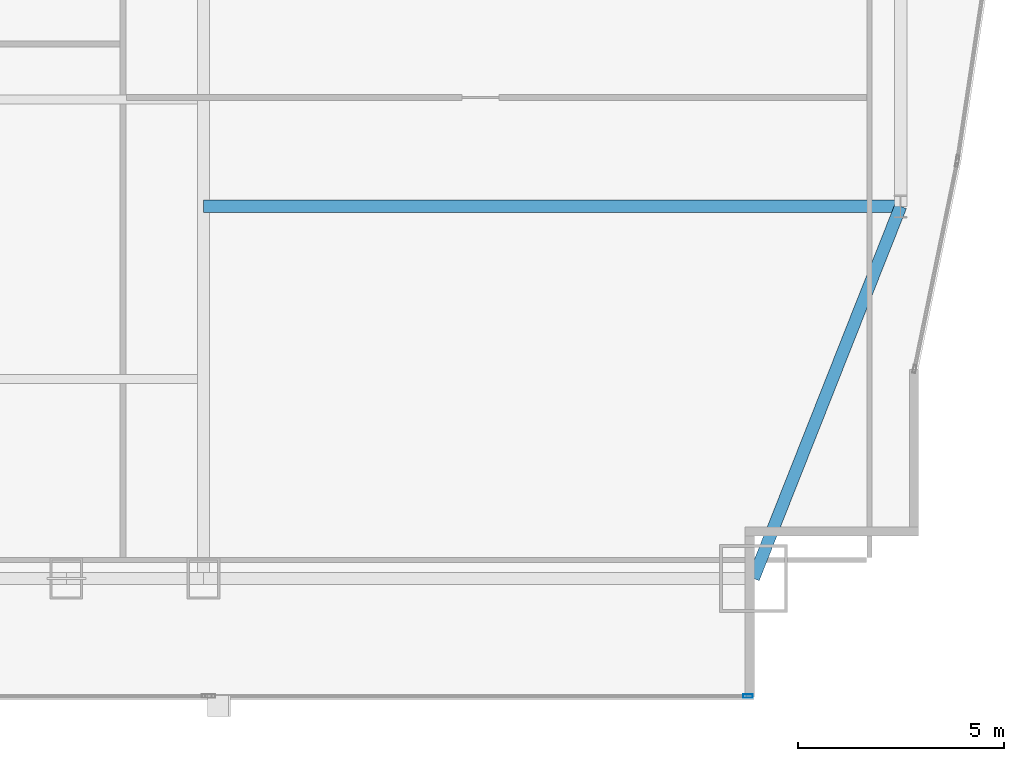
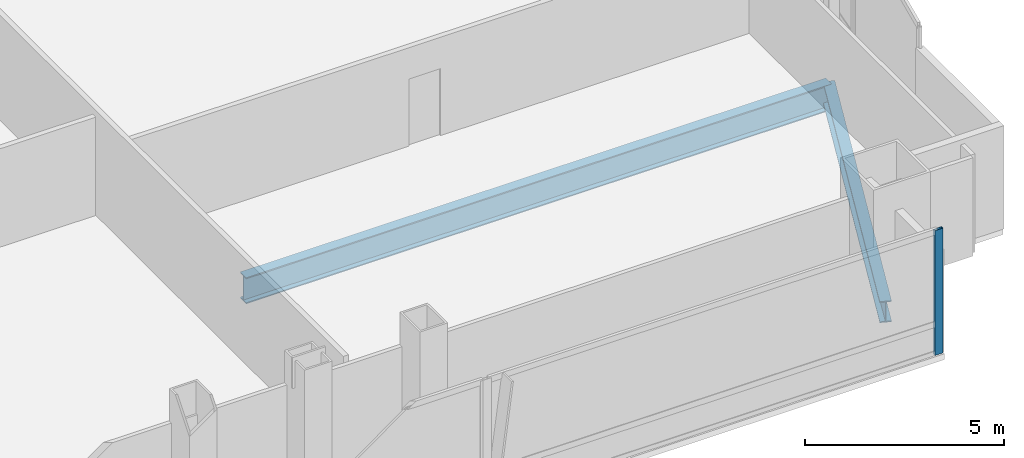
# One storey, part 21 of 36: 2 beams, 1 member, 1 element without a shape of its own.
"""IFC4 building model written with IfcOpenShell, lengths in metres."""

import ifcopenshell
import ifcopenshell.guid

model = None  # the IFC model being written
_history = None  # IfcOwnerHistory: only IFC2X3 demands one
_inside = {}  # id of a spatial element -> (the spatial element, [elements in it])
_under = {}  # id of a project, library or spatial element -> (it, [spatial elements below it])
_declared = {}  # id of a project -> (the project, [libraries it declares])
_typed = {}  # id of a type object -> (the type object, [elements of that type])
_made_of = {}  # id of a material, layer set ... -> (it, [elements and type objects made of it])


def new_model(schema):
    """Start an empty IFC model of exactly this schema.

    Asked for "IFC4X3", IfcOpenShell would pick the latest addendum, in which some entities
    have other attributes; the version numbers below select the first issue.
    IFC2X3 requires an IfcOwnerHistory on every rooted entity: one is made here for all.
    """
    global model, _history
    if schema == "IFC4X3":
        model = ifcopenshell.file(schema_version=(4, 3, 0, 0))
    else:
        model = ifcopenshell.file(schema=schema)
    _inside.clear()
    _under.clear()
    _declared.clear()
    _typed.clear()
    _made_of.clear()
    _history = None
    if model.schema == "IFC2X3":
        org = make("IfcOrganization", Name="unknown")
        user = make(
            "IfcPersonAndOrganization",
            ThePerson=make("IfcPerson", FamilyName="unknown"),
            TheOrganization=org,
        )
        app = make(
            "IfcApplication",
            ApplicationDeveloper=org,
            Version="unknown",
            ApplicationFullName="unknown",
            ApplicationIdentifier="unknown",
        )
        _history = make(
            "IfcOwnerHistory",
            OwningUser=user,
            OwningApplication=app,
            ChangeAction="ADDED",
            CreationDate=0,
        )
    return model


def make(cls, **values):
    """One entity of the class cls with the attributes given. An attribute that is None is left unset."""
    return model.create_entity(
        cls, **{name: value for name, value in values.items() if value is not None}
    )


def rooted(cls, **values):
    """An entity with a GlobalId (a new one), such as an element, a storey or a relation."""
    return make(cls, GlobalId=ifcopenshell.guid.new(), OwnerHistory=_history, **values)


def si_unit(unit_type, name, prefix=None):
    """IfcSIUnit, for example si_unit("LENGTHUNIT", "METRE", prefix="MILLI")."""
    return make("IfcSIUnit", UnitType=unit_type, Prefix=prefix, Name=name)


def assignment(units):
    """IfcUnitAssignment: the units of a project."""
    return None if units is None else make("IfcUnitAssignment", Units=units)


def point(xyz):
    """IfcCartesianPoint."""
    return None if xyz is None else make("IfcCartesianPoint", Coordinates=xyz)


def direction(xyz):
    """IfcDirection."""
    return None if xyz is None else make("IfcDirection", DirectionRatios=xyz)


def frame(location, z_axis=None, x_axis=None):
    """IfcAxis2Placement3D, a coordinate frame: its origin and axes. An axis left out is left unset."""
    return make(
        "IfcAxis2Placement3D",
        Location=point(location),
        Axis=direction(z_axis),
        RefDirection=direction(x_axis),
    )


def frame_2d(location, x_axis=None):
    """IfcAxis2Placement2D, a coordinate frame in the plane: its origin and x axis."""
    return make(
        "IfcAxis2Placement2D", Location=point(location), RefDirection=direction(x_axis)
    )


def origin():
    """The frame at (0, 0, 0) with its axes left unset."""
    return frame((0.0, 0.0, 0.0))


def origin_2d():
    """The frame at (0, 0) in the plane with its x axis left unset."""
    return frame_2d((0.0, 0.0))


def place(relative_to, where):
    """IfcLocalPlacement: puts the frame where relative to a parent placement (None: the world)."""
    return make(
        "IfcLocalPlacement", PlacementRelTo=relative_to, RelativePlacement=where
    )


def context(
    kind, dimensions, precision=None, world=None, true_north=None, identifier=None
):
    """IfcGeometricRepresentationContext, for example the 3D "Model" context."""
    return make(
        "IfcGeometricRepresentationContext",
        ContextIdentifier=identifier,
        ContextType=kind,
        CoordinateSpaceDimension=dimensions,
        Precision=precision,
        WorldCoordinateSystem=world,
        TrueNorth=true_north,
    )


def subcontext(parent, identifier, kind, view, scale=None):
    """IfcGeometricRepresentationSubContext, for example "Body" below "Model"."""
    return make(
        "IfcGeometricRepresentationSubContext",
        ContextIdentifier=identifier,
        ContextType=kind,
        ParentContext=parent,
        TargetScale=scale,
        TargetView=view,
    )


def project(units=None, contexts=None):
    """IfcProject with its units and contexts."""
    return rooted(
        "IfcProject",
        Name="project",
        RepresentationContexts=contexts,
        UnitsInContext=assignment(units),
    )


def spatial(cls, under=None, at=None, **own):
    """A site, building, storey or space (cls), placed at a placement, below another one or the project."""
    s = rooted(cls, ObjectPlacement=at, **own)
    if under is not None:
        _under.setdefault(under.id(), (under, []))[1].append(s)
    return s


def profile(cls, at=None, kind="AREA", **sizes):
    """A parametric profile (cls). Its sizes go by their IFC names, for example OverallWidth=200.0."""
    return make(cls, ProfileType=kind, Position=at, **sizes)


def hollow_rectangle(**sizes):
    """IfcRectangleHollowProfileDef."""
    return profile("IfcRectangleHollowProfileDef", **sizes)


def i_section(**sizes):
    """IfcIShapeProfileDef."""
    return profile("IfcIShapeProfileDef", **sizes)


def extrude(swept, where, along, depth):
    """IfcExtrudedAreaSolid: the profile swept, set in the frame where, extruded along a direction by depth."""
    return make(
        "IfcExtrudedAreaSolid",
        SweptArea=swept,
        Position=where,
        ExtrudedDirection=direction(along),
        Depth=depth,
    )


def shape(context_of_items, identifier, shape_type, items):
    """IfcShapeRepresentation: the items that make up one representation, for example the "Body"."""
    return make(
        "IfcShapeRepresentation",
        ContextOfItems=context_of_items,
        RepresentationIdentifier=identifier,
        RepresentationType=shape_type,
        Items=items,
    )


def material(Name=None, Category=None):
    """IfcMaterial."""
    return make("IfcMaterial", Name=Name, Category=Category)


def material_profile(
    of_material, cross_section, Name=None, Category=None, Priority=None
):
    """IfcMaterialProfile: a cross section and its material."""
    return make(
        "IfcMaterialProfile",
        Name=Name,
        Material=of_material,
        Profile=cross_section,
        Priority=Priority,
        Category=Category,
    )


def profile_set(profiles, Name=None, composite=None):
    """IfcMaterialProfileSet."""
    return make(
        "IfcMaterialProfileSet",
        Name=Name,
        MaterialProfiles=profiles,
        CompositeProfile=composite,
    )


def made_of(thing, what):
    """Note that an element or type object is made of a material, layer set ...; save() writes the relation."""
    if what is not None:
        _made_of.setdefault(what.id(), (what, []))[1].append(thing)
    return thing


def type_object(cls, material=None, **own):
    """A type object (cls), such as IfcWallType, which elements share."""
    return made_of(rooted(cls, **own), material)


def element(
    cls,
    number,
    at=None,
    inside=None,
    cuts=None,
    type_object=None,
    material=None,
    context=None,
    identifier="Body",
    shape_type=None,
    held_by="IfcProductDefinitionShape",
    body=None,
    shapes=None,
    **own,
):
    """One element of the class cls, such as IfcWall. Its Tag is "e" and its number.

    at: its placement. inside: the storey or other place that contains it. cuts: it is an
    opening in that element (IfcRelVoidsElement). A single representation is given by context,
    identifier, shape_type and body (its items); several are given by shapes. held_by: the class
    of the entity that holds the representations. save() writes the other relations.
    """
    e = rooted(cls, Tag="e%d" % number, ObjectPlacement=at, **own)
    if body is not None:
        shapes = [shape(context, identifier, shape_type, body)]
    if shapes is not None:
        e.Representation = make(held_by, Representations=shapes)
    if inside is not None:
        _inside.setdefault(inside.id(), (inside, []))[1].append(e)
    if cuts is not None:
        rooted(
            "IfcRelVoidsElement", RelatingBuildingElement=cuts, RelatedOpeningElement=e
        )
    if type_object is not None:
        _typed.setdefault(type_object.id(), (type_object, []))[1].append(e)
    return made_of(e, material)


def aggregate(whole, parts):
    """IfcRelAggregates: a whole, such as a stair, and the parts it consists of."""
    return rooted("IfcRelAggregates", RelatingObject=whole, RelatedObjects=parts)


def save(model, path):
    """Write the relations noted so far, then the file.

    IfcRelAggregates (storeys below a building ...), IfcRelContainedInSpatialStructure (elements
    in a storey), IfcRelDefinesByType, IfcRelAssociatesMaterial and IfcRelDeclares: one each for
    every whole, place, type object, material and project.
    """
    for whole, parts in _under.values():
        aggregate(whole, parts)
    for where, things in _inside.values():
        rooted(
            "IfcRelContainedInSpatialStructure",
            RelatedElements=things,
            RelatingStructure=where,
        )
    for kind, things in _typed.values():
        rooted("IfcRelDefinesByType", RelatedObjects=things, RelatingType=kind)
    for what, things in _made_of.values():
        rooted("IfcRelAssociatesMaterial", RelatedObjects=things, RelatingMaterial=what)
    for by, libraries in _declared.values():
        rooted("IfcRelDeclares", RelatingContext=by, RelatedDefinitions=libraries)
    model.write(path)


model = new_model("IFC4")

# Units and contexts
model_context = context("Model", 3, precision=1e-05, world=origin(), true_north=direction((0.0, 1.0)))
body_context = subcontext(model_context, "Body", "Model", "MODEL_VIEW")
ifc_project = project(units=[si_unit("LENGTHUNIT", "METRE"), si_unit("AREAUNIT", "SQUARE_METRE"), si_unit("VOLUMEUNIT", "CUBIC_METRE"), si_unit("PLANEANGLEUNIT", "RADIAN"), si_unit("MASSUNIT", "GRAM", prefix="KILO")], contexts=[model_context])

# Site, building, storey
site_placement = place(None, origin())
site = spatial("IfcSite", under=ifc_project, at=site_placement, CompositionType="ELEMENT")
building_placement = place(site_placement, origin())
building = spatial("IfcBuilding", under=site, at=building_placement, Name="Khoronbel Lancet Exchange", CompositionType="ELEMENT")
storey_placement = place(building_placement, frame((0.0, 0.0, 57.800048828125)))
storey = spatial("IfcBuildingStorey", under=building, at=storey_placement, Name="L13", CompositionType="ELEMENT", Elevation=57.800048828125)

# Beams
ifc_material_1 = material(Name="Steel S355", Category="steel")
ifc_material_profile_1 = material_profile(ifc_material_1, i_section(OverallWidth=0.300048828125, OverallDepth=0.800048828125, WebThickness=0.017578125, FlangeThickness=0.032958984375, at=origin_2d()), Name="HEB 800")
ifc_profile_set_1 = profile_set([ifc_material_profile_1], Name="Steel S355")
beam_type_1 = type_object("IfcBeamType", Name="BM-BG2", PredefinedType="BEAM", material=ifc_profile_set_1)
beam_1_placement = place(storey_placement, frame((54.675048828125, 19.199951171875, -0.580078125), z_axis=(1.0, 0.0, 0.0), x_axis=(0.0, 1.0, 0.0)))
element("IfcBeam", 1, at=beam_1_placement, inside=storey, type_object=beam_type_1, Name="Level L13 east lens tie girder LG1E", PredefinedType="BEAM", context=body_context, shape_type="SweptSolid", body=[
    extrude(i_section(OverallWidth=0.300048828125, OverallDepth=0.800048828125, WebThickness=0.017578125, FlangeThickness=0.032958984375, at=origin_2d()), origin(), (0.0, 0.0, 1.0), 16.954833984375),
])
ifc_material_profile_2 = material_profile(ifc_material_1, i_section(OverallWidth=0.300048828125, OverallDepth=0.64990234375, WebThickness=0.01611328125, FlangeThickness=0.031005859375, at=origin_2d()), Name="HEB 650")
ifc_profile_set_2 = profile_set([ifc_material_profile_2], Name="Steel S355")
beam_type_2 = type_object("IfcBeamType", Name="BM-BSP1", PredefinedType="SPANDREL", material=ifc_profile_set_2)
beam_2_placement = place(storey_placement, frame((68.050048828125, 10.14990234375, -0.505126953125), z_axis=(0.367828403855, 0.929893684954, 0.0), x_axis=(-0.929893684954, 0.367828403855, 0.0)))
element("IfcBeam", 2, at=beam_2_placement, inside=storey, type_object=beam_type_2, Name="Level L13 perimeter spandrel beam SP10", PredefinedType="SPANDREL", context=body_context, shape_type="SweptSolid", body=[
    extrude(i_section(OverallWidth=0.300048828125, OverallDepth=0.64990234375, WebThickness=0.01611328125, FlangeThickness=0.031005859375, at=origin_2d()), origin(), (0.0, 0.0, 1.0), 9.732421875),
])

# Curtain wall, member
ifc_material_2 = material(Name="Low-E Solar Control Insulating Glass", Category="glass")
curtain_wall_type = type_object("IfcCurtainWallType", Name="CW-1", PredefinedType="NOTDEFINED", material=ifc_material_2)
curtain_wall_placement = place(storey_placement, origin())
curtain_wall = element("IfcCurtainWall", 3, at=curtain_wall_placement, inside=storey, type_object=curtain_wall_type, Name="Unitised curtain wall CW-L13-SEV", PredefinedType="NOTDEFINED")
ifc_material_3 = material(Name="Bronze-Anodised Aluminium 6063-T6", Category="aluminium")
ifc_material_profile_3 = material_profile(ifc_material_3, hollow_rectangle(XDim=0.0849609375, YDim=0.239990234375, WallThickness=0.006103515625, at=origin_2d()), Name="ALU MULLION 85x240")
ifc_profile_set_3 = profile_set([ifc_material_profile_3], Name="Bronze-Anodised Aluminium 6063-T6")
member_type = type_object("IfcMemberType", Name="MEM-CWM1", PredefinedType="MULLION", material=ifc_profile_set_3)
member_placement = place(storey_placement, frame((67.91748046875, 7.2900390625, 0.0), z_axis=(0.0, 0.0, 1.0), x_axis=(0.0, 1.0, 0.0)))
member = element("IfcMember", 4, at=member_placement, type_object=member_type, Name="CW1 mullion 2", PredefinedType="MULLION", context=body_context, shape_type="SweptSolid", body=[
    extrude(hollow_rectangle(XDim=0.0849609375, YDim=0.239990234375, WallThickness=0.006103515625, at=origin_2d()), origin(), (0.0, 0.0, 1.0), 3.820068359375),
])
aggregate(curtain_wall, [member])

save(model, "model.ifc")
